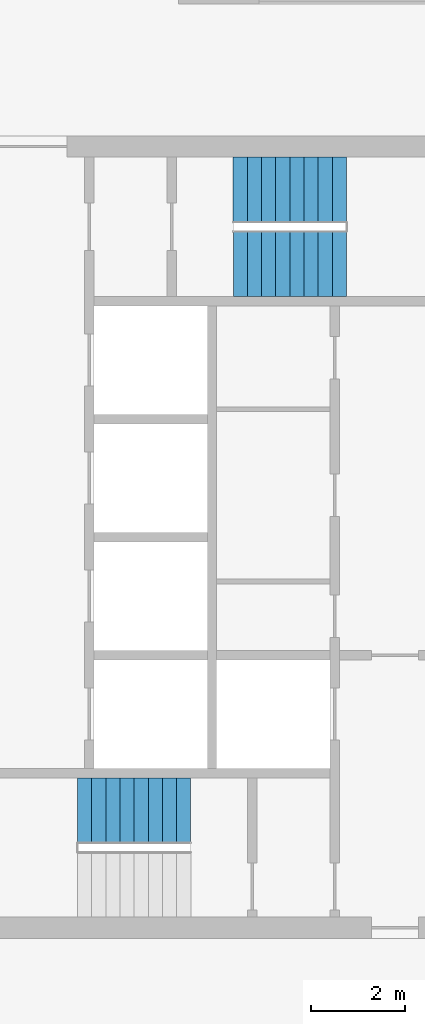
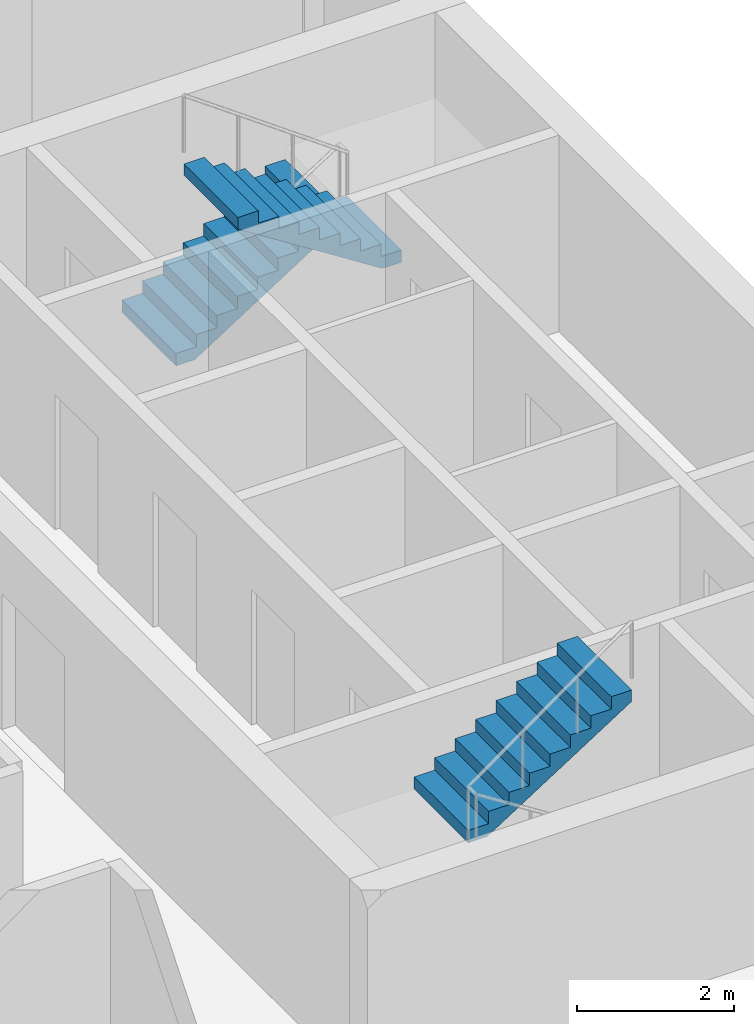
# One storey, part 7 of 9: 3 stair flights, 2 elements without a shape of their own.
"""IFC4 building model written with IfcOpenShell, lengths in metres."""

from ifc_helpers import new_model, si_unit, direction, frame, origin, place, context, subcontext, project, spatial, polyline, outline, extrude, material, type_object, element, aggregate, save


model = new_model("IFC4")

# Units and contexts
model_context = context("Model", 3, precision=1e-05, world=origin(), true_north=direction((0.0, 1.0)))
body_context = subcontext(model_context, "Body", "Model", "MODEL_VIEW")
ifc_project = project(units=[si_unit("LENGTHUNIT", "METRE"), si_unit("AREAUNIT", "SQUARE_METRE"), si_unit("VOLUMEUNIT", "CUBIC_METRE"), si_unit("PLANEANGLEUNIT", "RADIAN"), si_unit("MASSUNIT", "GRAM", prefix="KILO")], contexts=[model_context])

# Site, building, storey
site_placement = place(None, origin())
site = spatial("IfcSite", under=ifc_project, at=site_placement, CompositionType="ELEMENT")
building_placement = place(site_placement, origin())
building = spatial("IfcBuilding", under=site, at=building_placement, Name="Kitamizu Gate Tower and Museum", CompositionType="ELEMENT")
storey_placement = place(building_placement, frame((0.0, 0.0, 217.949951171875)))
storey = spatial("IfcBuildingStorey", under=building, at=storey_placement, Name="L58", CompositionType="ELEMENT", Elevation=217.949951171875)

# Stair, stair flight
ifc_material_1 = material(Name="Concrete Fc42", Category="concrete")
stair_type = type_object("IfcStairType", Name="Exit stair 1375 wide 192 rise 300 going", PredefinedType="HALF_TURN_STAIR", material=ifc_material_1)
stair_1_placement = place(storey_placement, origin())
stair_1 = element("IfcStair", 1, at=stair_1_placement, inside=storey, type_object=stair_type, Name="Exit stair ST3", PredefinedType="HALF_TURN_STAIR")
ifc_material_2 = material(Name="Concrete Fc42", Category="concrete")
stair_flight_type = type_object("IfcStairFlightType", Name="Stair flight 1375 wide 192 rise 300 going", PredefinedType="STRAIGHT", material=ifc_material_2)
stair_flight_1_placement = place(storey_placement, frame((51.14990234375, 24.21240234375, 1.72509765625), z_axis=(0.0, 0.0, 1.0), x_axis=(1.0, 0.0, 0.0)))
stair_flight_1 = element("IfcStairFlight", 2, at=stair_flight_1_placement, type_object=stair_flight_type, Name="ST3 flight 2", NumberOfRisers=9, NumberOfTreads=8, PredefinedType="STRAIGHT", RiserHeight=0.191666667, TreadLength=0.3, context=body_context, shape_type="SweptSolid", body=[
    extrude(outline(polyline([(0.0, 0.0), (0.0, 0.191650390625), (0.300048828125, 0.191650390625), (0.300048828125, 0.38330078125), (0.60009765625, 0.38330078125), (0.60009765625, 0.574951171875), (0.89990234375, 0.574951171875), (0.89990234375, 0.7666015625), (1.199951171875, 0.7666015625), (1.199951171875, 0.958251953125), (1.5, 0.958251953125), (1.5, 1.14990234375), (1.800048828125, 1.14990234375), (1.800048828125, 1.341552734375), (2.10009765625, 1.341552734375), (2.10009765625, 1.533447265625), (2.39990234375, 1.533447265625), (2.39990234375, 1.72509765625), (2.39990234375, 1.35546875), (0.2783203125, 0.0), (0.0, 0.0)])), frame((0.0, 0.6875, 0.0), z_axis=(0.0, -1.0, 0.0), x_axis=(1.0, 0.0, 0.0)), (0.0, 0.0, 1.0), 1.375),
])
aggregate(stair_1, [stair_flight_1])

# Stair, stair flights
stair_2_placement = place(storey_placement, origin())
stair_2 = element("IfcStair", 3, at=stair_2_placement, inside=storey, type_object=stair_type, Name="Exit stair ST4", PredefinedType="HALF_TURN_STAIR")
stair_flight_2_placement = place(storey_placement, frame((54.449951171875, 37.362548828125, 0.0), z_axis=(0.0, 0.0, 1.0), x_axis=(1.0, 0.0, 0.0)))
stair_flight_2 = element("IfcStairFlight", 4, at=stair_flight_2_placement, type_object=stair_flight_type, Name="ST4 flight 1", NumberOfRisers=9, NumberOfTreads=8, PredefinedType="STRAIGHT", RiserHeight=0.191666667, TreadLength=0.3, context=body_context, shape_type="SweptSolid", body=[
    extrude(outline(polyline([(0.0, 0.0), (0.0, 0.191650390625), (0.300048828125, 0.191650390625), (0.300048828125, 0.38330078125), (0.60009765625, 0.38330078125), (0.60009765625, 0.574951171875), (0.89990234375, 0.574951171875), (0.89990234375, 0.7666015625), (1.199951171875, 0.7666015625), (1.199951171875, 0.958251953125), (1.5, 0.958251953125), (1.5, 1.14990234375), (1.800048828125, 1.14990234375), (1.800048828125, 1.341552734375), (2.10009765625, 1.341552734375), (2.10009765625, 1.533447265625), (2.39990234375, 1.533447265625), (2.39990234375, 1.72509765625), (2.39990234375, 1.35546875), (0.2783203125, 0.0), (0.0, 0.0)])), frame((0.0, 0.6875, 0.0), z_axis=(0.0, -1.0, 0.0), x_axis=(1.0, 0.0, 0.0)), (0.0, 0.0, 1.0), 1.375),
])
stair_flight_3_placement = place(storey_placement, frame((56.85009765625, 35.78759765625, 1.72509765625), z_axis=(0.0, 0.0, 1.0), x_axis=(-1.0, 0.0, 0.0)))
stair_flight_3 = element("IfcStairFlight", 5, at=stair_flight_3_placement, type_object=stair_flight_type, Name="ST4 flight 2", NumberOfRisers=9, NumberOfTreads=8, PredefinedType="STRAIGHT", RiserHeight=0.191666667, TreadLength=0.3, context=body_context, shape_type="SweptSolid", body=[
    extrude(outline(polyline([(0.0, 0.0), (0.0, 0.191650390625), (0.300048828125, 0.191650390625), (0.300048828125, 0.38330078125), (0.60009765625, 0.38330078125), (0.60009765625, 0.574951171875), (0.89990234375, 0.574951171875), (0.89990234375, 0.7666015625), (1.199951171875, 0.7666015625), (1.199951171875, 0.958251953125), (1.5, 0.958251953125), (1.5, 1.14990234375), (1.800048828125, 1.14990234375), (1.800048828125, 1.341552734375), (2.10009765625, 1.341552734375), (2.10009765625, 1.533447265625), (2.39990234375, 1.533447265625), (2.39990234375, 1.72509765625), (2.39990234375, 1.35546875), (0.2783203125, 0.0), (0.0, 0.0)])), frame((0.0, 0.6875, 0.0), z_axis=(0.0, -1.0, 0.0), x_axis=(1.0, 0.0, 0.0)), (0.0, 0.0, 1.0), 1.375),
])
aggregate(stair_2, [stair_flight_2, stair_flight_3])

save(model, "model.ifc")
